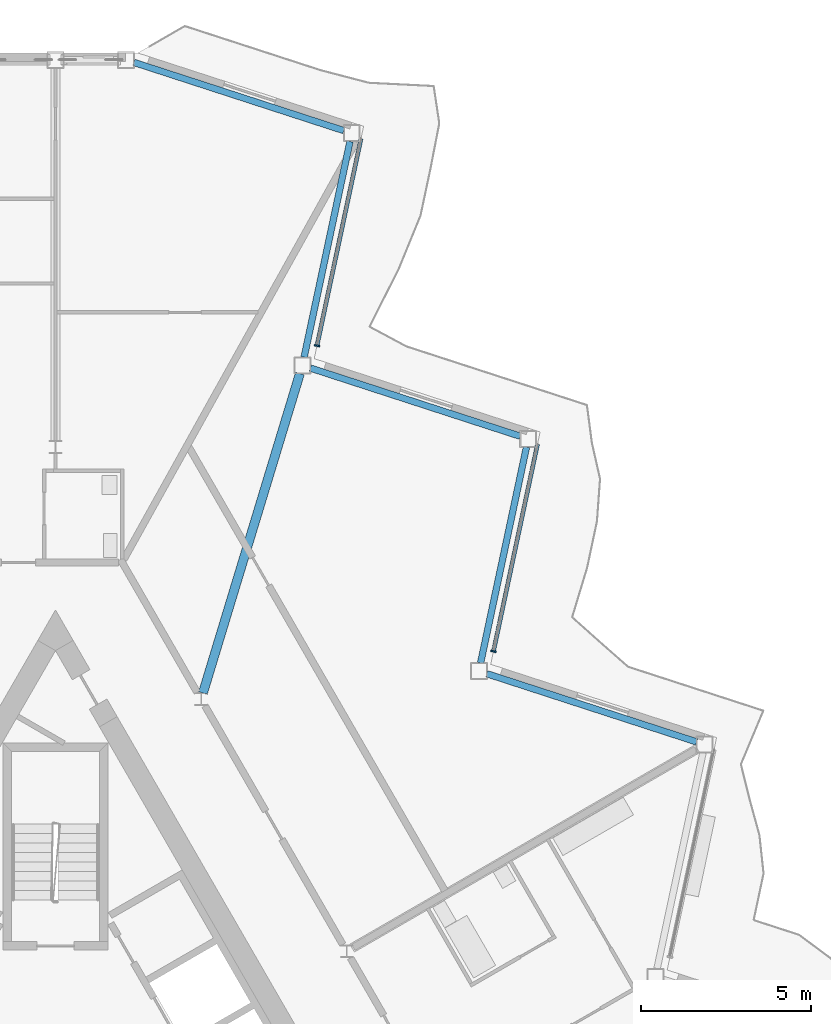
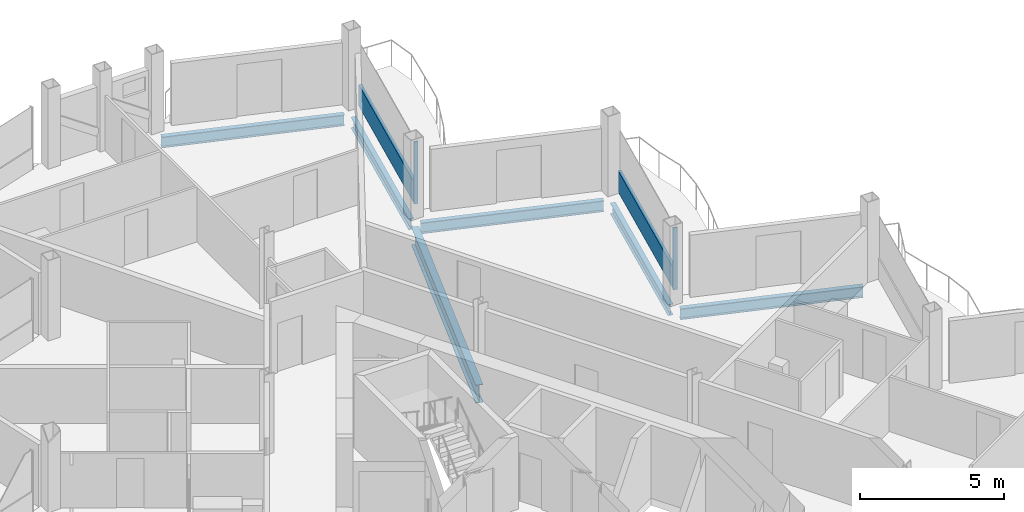
# One storey, part 10 of 26: 6 beams, 4 members, 2 elements without a shape of their own.
"""IFC4 building model written with IfcOpenShell, lengths in metres."""

from ifc_helpers import new_model, si_unit, direction, frame, origin, origin_2d, place, context, subcontext, project, spatial, rectangle, i_section, extrude, material, layer, layer_set, material_profile, profile_set, type_object, element, aggregate, save


model = new_model("IFC4")

# Units and contexts
model_context = context("Model", 3, precision=1e-05, world=origin(), true_north=direction((0.0, 1.0)))
body_context = subcontext(model_context, "Body", "Model", "MODEL_VIEW")
ifc_project = project(units=[si_unit("LENGTHUNIT", "METRE"), si_unit("AREAUNIT", "SQUARE_METRE"), si_unit("VOLUMEUNIT", "CUBIC_METRE"), si_unit("PLANEANGLEUNIT", "RADIAN"), si_unit("MASSUNIT", "GRAM", prefix="KILO")], contexts=[model_context])

# Site, building, storey
site_placement = place(None, origin())
site = spatial("IfcSite", under=ifc_project, at=site_placement, CompositionType="ELEMENT")
building_placement = place(site_placement, origin())
building = spatial("IfcBuilding", under=site, at=building_placement, Name="Cormorant Prow Tower", CompositionType="ELEMENT")
storey_placement = place(building_placement, frame((0.0, 0.0, 381.39990234375)))
storey = spatial("IfcBuildingStorey", under=building, at=storey_placement, Name="L86", CompositionType="ELEMENT", Elevation=381.39990234375)

# Beam
ifc_material_1 = material(Name="Structural steel ASTM A992 Gr 50", Category="steel")
ifc_material_profile_1 = material_profile(ifc_material_1, i_section(OverallWidth=0.267822265625, OverallDepth=0.77001953125, WebThickness=0.015625, FlangeThickness=0.025390625, at=origin_2d()), Name="W30x132")
ifc_profile_set_1 = profile_set([ifc_material_profile_1], Name="Structural steel ASTM A992 Gr 50")
beam_type_1 = type_object("IfcBeamType", Name="Radial floor beam W30x132", PredefinedType="BEAM", material=ifc_profile_set_1)
beam_1_placement = place(storey_placement, frame((4.343505859375, 12.560791015625, -0.684814453125), z_axis=(0.290499864147, 0.956875033079, 0.0), x_axis=(-0.956875033079, 0.290499864147, 0.0)))
element("IfcBeam", 1, at=beam_1_placement, inside=storey, type_object=beam_type_1, Name="Radial floor beam FB3 12 L86", PredefinedType="BEAM", context=body_context, shape_type="SweptSolid", body=[
    extrude(i_section(OverallWidth=0.267822265625, OverallDepth=0.77001953125, WebThickness=0.015625, FlangeThickness=0.025390625, at=origin_2d()), origin(), (0.0, 0.0, 1.0), 9.837158203125),
])

# Curtain wall, member
ifc_material_2 = material(Name="Aluminium 6063-T6", Category="aluminium")
ifc_layer = layer(ifc_material_2, 0.159912109375)
ifc_layer_set = layer_set([ifc_layer], Name="Aluminium 6063-T6")
curtain_wall_type = type_object("IfcCurtainWallType", Name="Residential unitised curtain wall 160", PredefinedType="NOTDEFINED", material=ifc_layer_set)
curtain_wall_1_placement = place(storey_placement, origin())
curtain_wall_1 = element("IfcCurtainWall", 2, at=curtain_wall_1_placement, inside=storey, type_object=curtain_wall_type, Name="Residential curtain wall ENE06", PredefinedType="NOTDEFINED")
ifc_material_3 = material(Name="Aluminium 6063-T6", Category="aluminium")
ifc_material_profile_2 = material_profile(ifc_material_3, rectangle(XDim=0.159912109375, YDim=0.050048828125, at=origin_2d()), Name="Residential mullion 50x160")
ifc_profile_set_2 = profile_set([ifc_material_profile_2], Name="Aluminium 6063-T6")
member_type_1 = type_object("IfcMemberType", Name="Residential mullion 50x160", PredefinedType="MULLION", material=ifc_profile_set_2)
member_1_placement = place(storey_placement, frame((12.905029296875, 13.79052734375, 0.0), z_axis=(0.0, 0.0, 1.0), x_axis=(-0.978147586701, 0.207911756835, 0.0)))
member_1 = element("IfcMember", 3, at=member_1_placement, type_object=member_type_1, Name="Residential mullion ENE06", PredefinedType="MULLION", context=body_context, shape_type="SweptSolid", body=[
    extrude(rectangle(XDim=0.159912109375, YDim=0.050048828125, at=origin_2d()), origin(), (0.0, 0.0, 1.0), 2.634033203125),
])

curtain_wall_2_placement = place(storey_placement, origin())
curtain_wall_2 = element("IfcCurtainWall", 4, at=curtain_wall_2_placement, inside=storey, type_object=curtain_wall_type, Name="Residential curtain wall ENE08", PredefinedType="NOTDEFINED")
member_2_placement = place(storey_placement, frame((7.704833984375, 22.79736328125, 0.0), z_axis=(0.0, 0.0, 1.0), x_axis=(-0.978147580525, 0.207911785891, 0.0)))
member_2 = element("IfcMember", 5, at=member_2_placement, type_object=member_type_1, Name="Residential mullion ENE08", PredefinedType="MULLION", context=body_context, shape_type="SweptSolid", body=[
    extrude(rectangle(XDim=0.159912109375, YDim=0.050048828125, at=origin_2d()), origin(), (0.0, 0.0, 1.0), 2.634033203125),
])

# Member
ifc_material_4 = material(Name="Terracotta", Category="masonry")
ifc_material_profile_3 = material_profile(ifc_material_4, rectangle(XDim=0.1201171875, YDim=0.89990234375, at=origin_2d()), Name="Residential terracotta spandrel rail 120x900")
ifc_profile_set_3 = profile_set([ifc_material_profile_3], Name="Terracotta")
member_type_2 = type_object("IfcMemberType", Name="Residential terracotta spandrel rail 120x900", PredefinedType="USERDEFINED", material=ifc_profile_set_3)
member_3_placement = place(storey_placement, frame((12.91015625, 13.815185546875, 0.4501953125), z_axis=(0.207916541247, 0.978146569731, 0.0), x_axis=(-0.978146569731, 0.207916541247, 0.0)))
member_3 = element("IfcMember", 6, at=member_3_placement, type_object=member_type_2, Name="Residential spandrel rail ENE06", ObjectType="TRANSOM", PredefinedType="USERDEFINED", context=body_context, shape_type="SweptSolid", body=[
    extrude(rectangle(XDim=0.1201171875, YDim=0.89990234375, at=origin_2d()), origin(), (0.0, 0.0, 1.0), 6.215087890625),
])

aggregate(curtain_wall_1, [member_1, member_3])

member_4_placement = place(storey_placement, frame((7.710205078125, 22.82177734375, 0.4501953125), z_axis=(0.207916541247, 0.978146569731, 0.0), x_axis=(-0.978146569731, 0.207916541247, 0.0)))
member_4 = element("IfcMember", 7, at=member_4_placement, type_object=member_type_2, Name="Residential spandrel rail ENE08", ObjectType="TRANSOM", PredefinedType="USERDEFINED", context=body_context, shape_type="SweptSolid", body=[
    extrude(rectangle(XDim=0.1201171875, YDim=0.89990234375, at=origin_2d()), origin(), (0.0, 0.0, 1.0), 6.215087890625),
])

aggregate(curtain_wall_2, [member_2, member_4])

# Beams
ifc_material_5 = material(Name="Structural steel ASTM A992 Gr 50", Category="steel")
ifc_material_profile_4 = material_profile(ifc_material_5, i_section(OverallWidth=0.19287109375, OverallDepth=0.466064453125, WebThickness=0.011474609375, FlangeThickness=0.01904296875, at=origin_2d()), Name="W18x65")
ifc_profile_set_4 = profile_set([ifc_material_profile_4], Name="Structural steel ASTM A992 Gr 50")
beam_type_2 = type_object("IfcBeamType", Name="Spandrel beam W18x65", PredefinedType="SPANDREL", material=ifc_profile_set_4)
beam_2_placement = place(storey_placement, frame((18.890869140625, 11.12109375, -0.532958984375), z_axis=(-0.951053396625, 0.309026595569, 0.0), x_axis=(-0.309026595569, -0.951053396625, 0.0)))
element("IfcBeam", 8, at=beam_2_placement, inside=storey, type_object=beam_type_2, Name="Spandrel beam SB4 ENE05-ENE06 L86", PredefinedType="SPANDREL", context=body_context, shape_type="SweptSolid", body=[
    extrude(i_section(OverallWidth=0.19287109375, OverallDepth=0.466064453125, WebThickness=0.011474609375, FlangeThickness=0.01904296875, at=origin_2d()), origin(), (0.0, 0.0, 1.0), 6.497314453125),
])
beam_3_placement = place(storey_placement, frame((12.52587890625, 13.45068359375, -0.532958984375), z_axis=(0.207901897373, 0.978149682344, 0.0), x_axis=(-0.978149682344, 0.207901897373, 0.0)))
element("IfcBeam", 9, at=beam_3_placement, inside=storey, type_object=beam_type_2, Name="Spandrel beam SB4 ENE06-ENE07 L86", PredefinedType="SPANDREL", context=body_context, shape_type="SweptSolid", body=[
    extrude(i_section(OverallWidth=0.19287109375, OverallDepth=0.466064453125, WebThickness=0.011474609375, FlangeThickness=0.01904296875, at=origin_2d()), origin(), (0.0, 0.0, 1.0), 6.49755859375),
])
beam_4_placement = place(storey_placement, frame((13.69091796875, 20.1279296875, -0.532958984375), z_axis=(-0.951068027308, 0.308981564875, 0.0), x_axis=(-0.308981564875, -0.951068027308, 0.0)))
element("IfcBeam", 10, at=beam_4_placement, inside=storey, type_object=beam_type_2, Name="Spandrel beam SB4 ENE07-ENE08 L86", PredefinedType="SPANDREL", context=body_context, shape_type="SweptSolid", body=[
    extrude(i_section(OverallWidth=0.19287109375, OverallDepth=0.466064453125, WebThickness=0.011474609375, FlangeThickness=0.01904296875, at=origin_2d()), origin(), (0.0, 0.0, 1.0), 6.497314453125),
])
for number, where, z_axis, x_axis, name in (
    (11, (7.32568359375, 22.457275390625, -0.532958984375), (0.20793784774, 0.978142040543, 0.0), (-0.978142040543, 0.20793784774, 0.0), "Spandrel beam SB4 ENE08-ENE09 L86"),
    (12, (8.490966796875, 29.134521484375, -0.532958984375), (-0.951056984862, 0.30901555227, 0.0), (-0.30901555227, -0.951056984862, 0.0), "Spandrel beam SB4 ENE09-N00 L86"),
):
    element("IfcBeam", number, at=place(storey_placement, frame(where, z_axis=z_axis, x_axis=x_axis)), inside=storey, type_object=beam_type_2, Name=name, PredefinedType="SPANDREL", context=body_context, shape_type="SweptSolid", body=[
        extrude(i_section(OverallWidth=0.19287109375, OverallDepth=0.466064453125, WebThickness=0.011474609375, FlangeThickness=0.01904296875, at=origin_2d()), origin(), (0.0, 0.0, 1.0), 6.49755859375),
    ])

save(model, "model.ifc")
